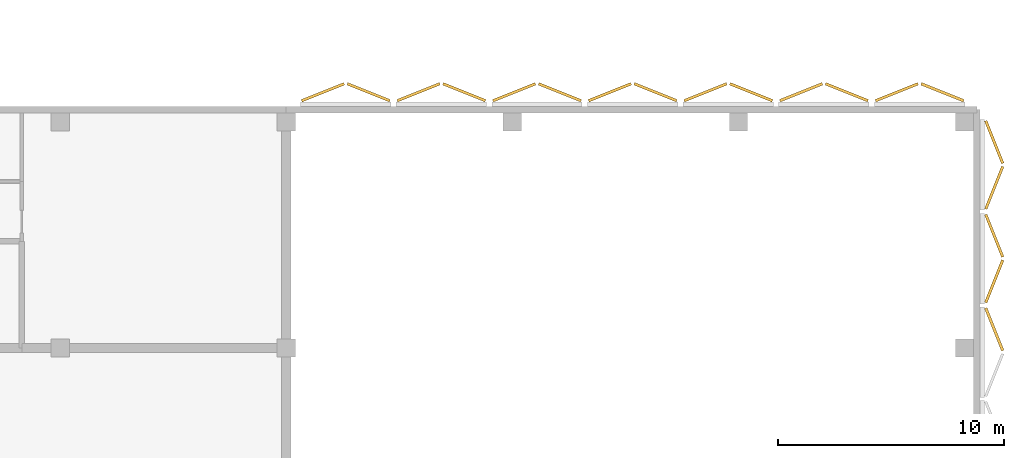
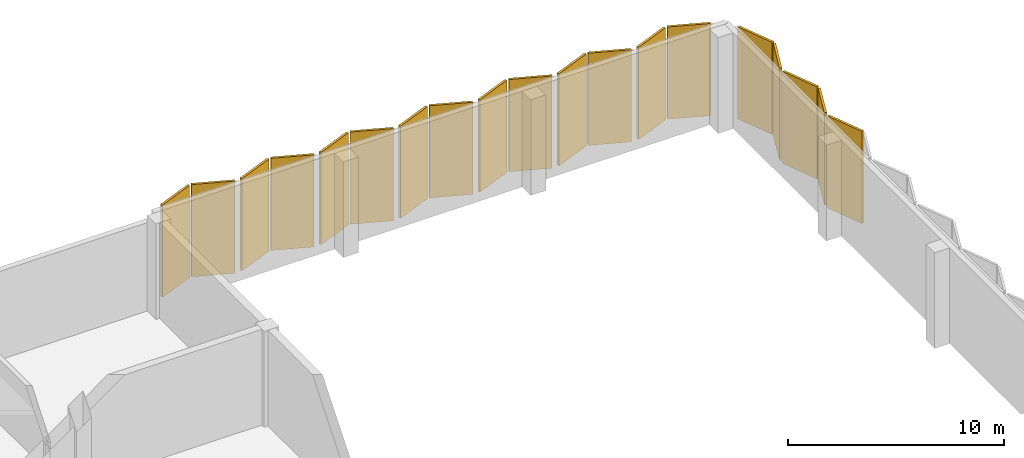
# One storey, part 35 of 35: 19 coverings.
"""IFC4 building model written with IfcOpenShell, lengths in metres."""

from ifc_helpers import new_model, si_unit, direction, frame, origin, origin_2d, place, context, subcontext, project, spatial, rectangle, extrude, material, layer, layer_set, type_object, element, save


model = new_model("IFC4")

# Units and contexts
model_context = context("Model", 3, precision=1e-05, world=origin(), true_north=direction((0.0, 1.0)))
body_context = subcontext(model_context, "Body", "Model", "MODEL_VIEW")
ifc_project = project(units=[si_unit("LENGTHUNIT", "METRE"), si_unit("AREAUNIT", "SQUARE_METRE"), si_unit("VOLUMEUNIT", "CUBIC_METRE"), si_unit("PLANEANGLEUNIT", "RADIAN"), si_unit("MASSUNIT", "GRAM", prefix="KILO")], contexts=[model_context])

# Site, building, storey
site_placement = place(None, origin())
site = spatial("IfcSite", under=ifc_project, at=site_placement, CompositionType="ELEMENT")
building_placement = place(site_placement, origin())
building = spatial("IfcBuilding", under=site, at=building_placement, Name="Jabali Bay Hotel Tower and Convention Centre", CompositionType="ELEMENT")
storey_placement = place(building_placement, frame((0.0, 0.0, 15.0)))
storey = spatial("IfcBuildingStorey", under=building, at=storey_placement, Name="L02", CompositionType="ELEMENT", Elevation=15.0)

# Coverings
ifc_material = material(Name="Precast concrete C40/50", Category="concrete")
ifc_layer = layer(ifc_material, 0.1201171875)
ifc_layer_set = layer_set([ifc_layer], Name="Precast concrete C40/50")
covering_type = type_object("IfcCoveringType", Name="CC Screen blade 4000 x 5200", PredefinedType="CLADDING", material=ifc_layer_set)
for number, where, z_axis, x_axis, name in (
    (1, (252.021728515625, 100.8330078125, 0.10009765625), (0.0, 0.0, 1.0), (0.371390668473, -0.928476694038, 0.0), "CC pierced screen E02.10 blade 2"),
    (2, (252.021728515625, 102.955322265625, 0.10009765625), (0.0, 0.0, 1.0), (0.371390668473, 0.928476694038, 0.0), "CC pierced screen E02.11 blade 1"),
    (3, (252.021728515625, 104.975341796875, 0.10009765625), (0.0, 0.0, 1.0), (0.371390668473, -0.928476694038, 0.0), "CC pierced screen E02.11 blade 2"),
    (4, (252.021728515625, 107.09765625, 0.10009765625), (0.0, 0.0, 1.0), (0.371390668473, 0.928476694038, 0.0), "CC pierced screen E02.12 blade 1"),
    (5, (252.021728515625, 109.11767578125, 0.10009765625), (0.0, 0.0, 1.0), (0.371390668473, -0.928476694038, 0.0), "CC pierced screen E02.12 blade 2"),
    (6, (222.3212890625, 111.32177734375, 0.10009765625), (0.0, 0.0, 1.0), (0.928476694038, 0.371390668473, 0.0), "CC pierced screen N02.1 blade 1"),
    (7, (224.34130859375, 111.32177734375, 0.10009765625), (0.0, 0.0, 1.0), (-0.928476694038, 0.371390668473, 0.0), "CC pierced screen N02.1 blade 2"),
    (8, (226.552490234375, 111.32177734375, 0.10009765625), (0.0, 0.0, 1.0), (0.928476694038, 0.371390668473, 0.0), "CC pierced screen N02.2 blade 1"),
    (9, (228.572509765625, 111.32177734375, 0.10009765625), (0.0, 0.0, 1.0), (-0.928476694038, 0.371390668473, 0.0), "CC pierced screen N02.2 blade 2"),
    (10, (230.78369140625, 111.32177734375, 0.10009765625), (0.0, 0.0, 1.0), (0.928476694038, 0.371390668473, 0.0), "CC pierced screen N02.3 blade 1"),
    (11, (232.8037109375, 111.32177734375, 0.10009765625), (0.0, 0.0, 1.0), (-0.928476694038, 0.371390668473, 0.0), "CC pierced screen N02.3 blade 2"),
    (12, (235.014892578125, 111.32177734375, 0.10009765625), (0.0, 0.0, 1.0), (0.928476694038, 0.371390668473, 0.0), "CC pierced screen N02.4 blade 1"),
    (13, (237.034912109375, 111.32177734375, 0.10009765625), (0.0, 0.0, 1.0), (-0.928476694038, 0.371390668473, 0.0), "CC pierced screen N02.4 blade 2"),
    (14, (239.246337890625, 111.32177734375, 0.10009765625), (0.0, 0.0, 1.0), (0.928476694038, 0.371390668473, 0.0), "CC pierced screen N02.5 blade 1"),
    (15, (241.266357421875, 111.32177734375, 0.10009765625), (0.0, 0.0, 1.0), (-0.928476694038, 0.371390668473, 0.0), "CC pierced screen N02.5 blade 2"),
    (16, (243.4775390625, 111.32177734375, 0.10009765625), (0.0, 0.0, 1.0), (0.928476694038, 0.371390668473, 0.0), "CC pierced screen N02.6 blade 1"),
    (17, (245.49755859375, 111.32177734375, 0.10009765625), (0.0, 0.0, 1.0), (-0.928476694038, 0.371390668473, 0.0), "CC pierced screen N02.6 blade 2"),
    (18, (247.708740234375, 111.32177734375, 0.10009765625), (0.0, 0.0, 1.0), (0.928476694038, 0.371390668473, 0.0), "CC pierced screen N02.7 blade 1"),
    (19, (249.728759765625, 111.32177734375, 0.10009765625), (0.0, 0.0, 1.0), (-0.928476694038, 0.371390668473, 0.0), "CC pierced screen N02.7 blade 2"),
):
    element("IfcCovering", number, at=place(storey_placement, frame(where, z_axis=z_axis, x_axis=x_axis)), inside=storey, type_object=covering_type, Name=name, PredefinedType="CLADDING", context=body_context, shape_type="SweptSolid", body=[
        extrude(rectangle(XDim=2.02490234375, YDim=0.1201171875, at=origin_2d()), origin(), (0.0, 0.0, 1.0), 5.199951171875),
    ])

save(model, "model.ifc")
